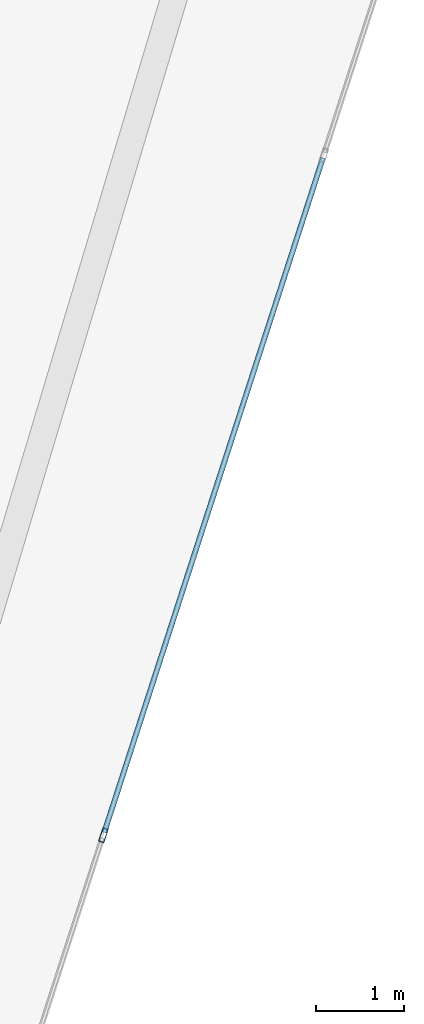
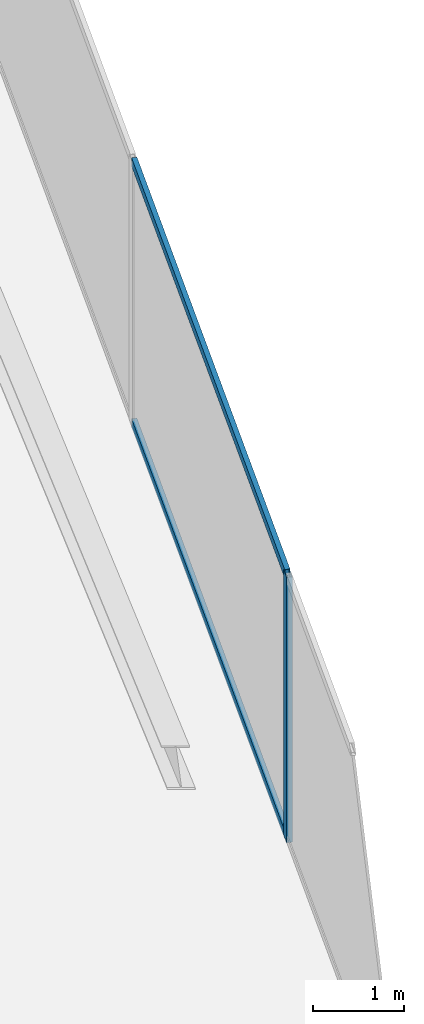
# One storey, part 10 of 16: 3 members, 1 element without a shape of its own.
"""IFC4 building model written with IfcOpenShell, lengths in metres."""

from ifc_helpers import new_model, si_unit, direction, frame, origin, origin_2d, place, context, subcontext, project, spatial, hollow_rectangle, extrude, material, layer, layer_set, material_profile, profile_set, type_object, element, aggregate, save


model = new_model("IFC4")

# Units and contexts
model_context = context("Model", 3, precision=1e-05, world=origin(), true_north=direction((0.0, 1.0)))
body_context = subcontext(model_context, "Body", "Model", "MODEL_VIEW")
ifc_project = project(units=[si_unit("LENGTHUNIT", "METRE"), si_unit("AREAUNIT", "SQUARE_METRE"), si_unit("VOLUMEUNIT", "CUBIC_METRE"), si_unit("PLANEANGLEUNIT", "RADIAN"), si_unit("MASSUNIT", "GRAM", prefix="KILO")], contexts=[model_context])

# Site, building, storey
site_placement = place(None, origin())
site = spatial("IfcSite", under=ifc_project, at=site_placement, CompositionType="ELEMENT")
building_placement = place(site_placement, origin())
building = spatial("IfcBuilding", under=site, at=building_placement, Name="Qianvela Tower", CompositionType="ELEMENT")
storey_placement = place(building_placement, frame((0.0, 0.0, 367.550048828125)))
storey = spatial("IfcBuildingStorey", under=building, at=storey_placement, Name="L95", CompositionType="ELEMENT", Elevation=367.550048828125)

# Curtain wall, members
ifc_material_1 = material(Name="Anodised Architectural Aluminium and Low-E Glass", Category="aluminium")
ifc_layer = layer(ifc_material_1, 0.159912109375)
ifc_layer_set = layer_set([ifc_layer], Name="Anodised Architectural Aluminium and Low-E Glass")
curtain_wall_type = type_object("IfcCurtainWallType", Name="CW-CROWN", PredefinedType="USERDEFINED", material=ifc_layer_set)
curtain_wall_placement = place(storey_placement, origin())
curtain_wall = element("IfcCurtainWall", 1, at=curtain_wall_placement, inside=storey, type_object=curtain_wall_type, Name="L95 CW-CROWN Curtain Wall 06", ObjectType="CURTAIN_WALL_SYSTEM", PredefinedType="USERDEFINED")
ifc_material_2 = material(Name="Anodised Architectural Aluminium 6063-T6", Category="aluminium")
ifc_material_profile_1 = material_profile(ifc_material_2, hollow_rectangle(XDim=0.06494140625, YDim=0.159912109375, WallThickness=0.0048828125, at=origin_2d()), Name="ALU-MULL-65x160")
ifc_profile_set_1 = profile_set([ifc_material_profile_1], Name="Anodised Architectural Aluminium 6063-T6")
member_type_1 = type_object("IfcMemberType", Name="CW-CROWN-MULL", PredefinedType="MULLION", material=ifc_profile_set_1)
member_1_placement = place(storey_placement, frame((46.978759765625, 24.468994140625, 0.0), z_axis=(0.0, 0.0, 1.0), x_axis=(-0.951255578594, 0.30840367085, 0.0)))
member_1 = element("IfcMember", 2, at=member_1_placement, type_object=member_type_1, Name="CW-8 mullion 3", PredefinedType="MULLION", context=body_context, shape_type="SweptSolid", body=[
    extrude(hollow_rectangle(XDim=0.06494140625, YDim=0.159912109375, WallThickness=0.0048828125, at=origin_2d()), origin(), (0.0, 0.0, 1.0), 3.550048828125),
])
ifc_material_3 = material(Name="Anodised Architectural Aluminium 6063-T6", Category="aluminium")
ifc_material_profile_2 = material_profile(ifc_material_3, hollow_rectangle(XDim=0.06005859375, YDim=0.114990234375, WallThickness=0.00390625, at=origin_2d()), Name="ALU-TRAN-60x115")
ifc_profile_set_2 = profile_set([ifc_material_profile_2], Name="Anodised Architectural Aluminium 6063-T6")
member_type_2 = type_object("IfcMemberType", Name="CW-CROWN-TRAN", PredefinedType="USERDEFINED", material=ifc_profile_set_2)
member_2_placement = place(storey_placement, frame((46.98876953125, 24.5, 0.030029296875), z_axis=(0.308386685588, 0.951261085167, 0.0), x_axis=(-0.951261085167, 0.308386685588, 0.0)))
member_2 = element("IfcMember", 3, at=member_2_placement, type_object=member_type_2, Name="CW-8 transom 3.1", ObjectType="TRANSOM", PredefinedType="USERDEFINED", context=body_context, shape_type="SweptSolid", body=[
    extrude(hollow_rectangle(XDim=0.06005859375, YDim=0.114990234375, WallThickness=0.00390625, at=origin_2d()), origin(), (0.0, 0.0, 1.0), 8.044189453125),
])
member_3_placement = place(storey_placement, frame((46.98876953125, 24.5, 3.52001953125), z_axis=(0.308386685588, 0.951261085167, 0.0), x_axis=(-0.951261085167, 0.308386685588, 0.0)))
member_3 = element("IfcMember", 4, at=member_3_placement, type_object=member_type_2, Name="CW-8 transom 3.2", ObjectType="TRANSOM", PredefinedType="USERDEFINED", context=body_context, shape_type="SweptSolid", body=[
    extrude(hollow_rectangle(XDim=0.06005859375, YDim=0.114990234375, WallThickness=0.00390625, at=origin_2d()), origin(), (0.0, 0.0, 1.0), 8.044189453125),
])
aggregate(curtain_wall, [member_1, member_2, member_3])

save(model, "model.ifc")
